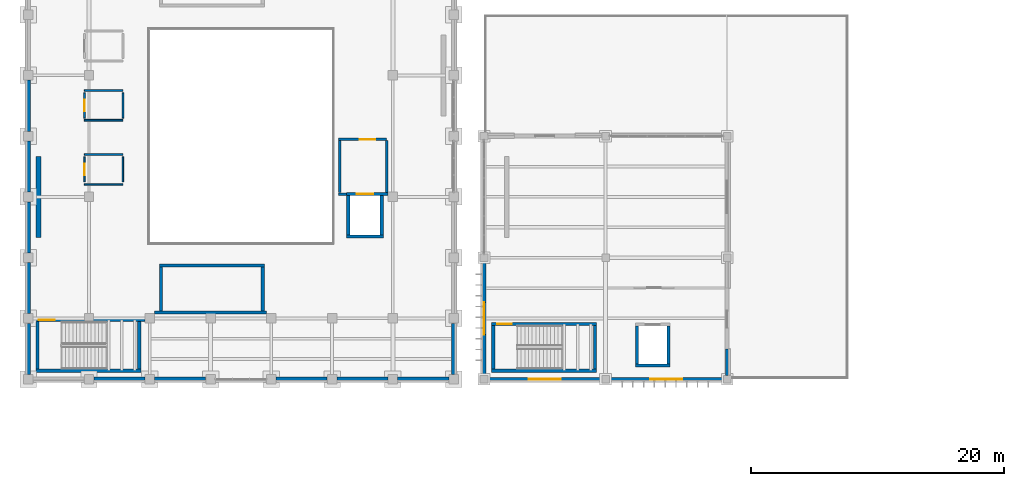
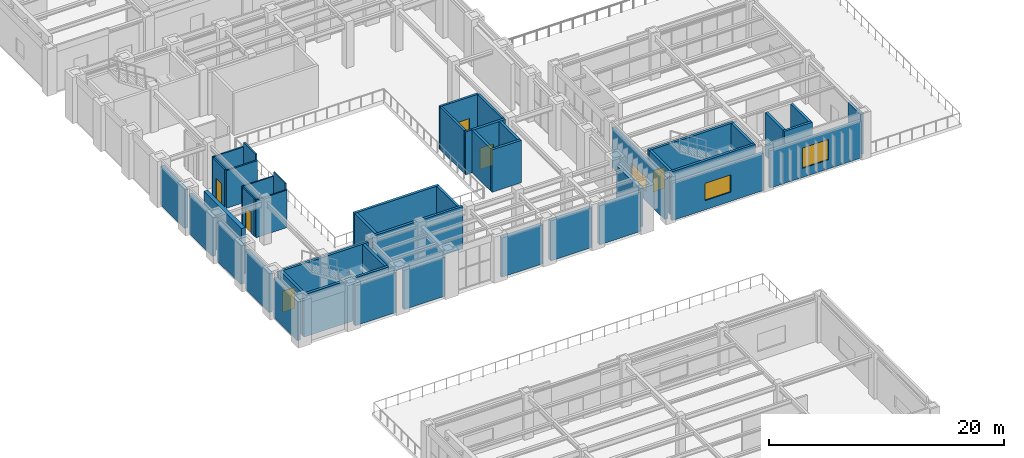
# One storey, part 56 of 83: 47 walls, 6 doors, 3 windows, 9 openings.
"""IFC4 building model written with IfcOpenShell, lengths in metres."""

from ifc_helpers import new_model, si_unit, direction, frame, frame_2d, origin, place, context, subcontext, project, spatial, rectangle, extrude, material, layer, layer_set, type_object, element, fill, save


model = new_model("IFC4")

# Units and contexts
model_context = context("Model", 3, precision=1e-05, world=origin(), true_north=direction((0.0, 1.0)))
body_context = subcontext(model_context, "Body", "Model", "MODEL_VIEW")
ifc_project = project(units=[si_unit("LENGTHUNIT", "METRE"), si_unit("AREAUNIT", "SQUARE_METRE"), si_unit("VOLUMEUNIT", "CUBIC_METRE"), si_unit("PLANEANGLEUNIT", "RADIAN"), si_unit("MASSUNIT", "GRAM", prefix="KILO")], contexts=[model_context])

# Site, building, storey
site_placement = place(None, origin())
site = spatial("IfcSite", under=ifc_project, at=site_placement, CompositionType="ELEMENT")
building_placement = place(site_placement, origin())
building = spatial("IfcBuilding", under=site, at=building_placement, Name="Mavantir Sound Aquarium", CompositionType="ELEMENT")
storey_placement = place(building_placement, frame((0.0, 0.0, 10.5)))
storey = spatial("IfcBuildingStorey", under=building, at=storey_placement, Name="L02", CompositionType="ELEMENT", Elevation=10.5)

# Wall, opening, window
ifc_material_1 = material(Name="Coral-Buff Architectural Precast Concrete C40/50", Category="concrete")
ifc_layer_1 = layer(ifc_material_1, 0.31005859375, Name="Coral-Buff Architectural Precast Concrete C40/50")
ifc_layer_set_1 = layer_set([ifc_layer_1], Name="Coral-Buff Architectural Precast Concrete C40/50")
wall_type_1 = type_object("IfcWallType", Name="EW-CORAL-310", PredefinedType="SOLIDWALL", material=ifc_layer_set_1)
wall_1_placement = place(storey_placement, frame((36.0, 50.092041015625, 0.0), z_axis=(0.0, 0.0, 1.0), x_axis=(0.0, -1.0, 0.0)))
wall_1 = element("IfcWall", 1, at=wall_1_placement, inside=storey, type_object=wall_type_1, Name="L02 exterior facade wall EW-02 236", PredefinedType="SOLIDWALL", context=body_context, shape_type="SweptSolid", body=[
    extrude(rectangle(XDim=8.984130859375, YDim=0.31005859375, at=frame_2d((4.4921875, 0.0))), origin(), (0.0, 0.0, 1.0), 4.133056640625),
])
opening_1_placement = place(wall_1_placement, frame((3.217041015625, 0.0, 0.949951171875)))
opening_1 = element("IfcOpeningElement", 2, at=opening_1_placement, cuts=wall_1, Name="Opening W-34", PredefinedType="OPENING", context=body_context, shape_type="SweptSolid", body=[
    extrude(rectangle(XDim=2.550048828125, YDim=1.5, at=frame_2d((1.27490234375, 0.75))), frame((0.0, 0.1650390625, 0.0), z_axis=(0.0, -1.0, 0.0), x_axis=(1.0, 0.0, 0.0)), (0.0, 0.0, 1.0), 0.330078125),
])
ifc_material_2 = material(Name="Thermally Broken Aluminium and Low-E Glass", Category="aluminium")
window_type_1 = type_object("IfcWindowType", Name="WIN-EXT-34", PartitioningType="TRIPLE_PANEL_VERTICAL", PredefinedType="WINDOW", material=ifc_material_2)
window_1_placement = place(opening_1_placement, origin())
window_1 = element("IfcWindow", 3, at=window_1_placement, inside=storey, type_object=window_type_1, Name="L02 facade window W-34 82", OverallHeight=1.5, OverallWidth=2.550048828125, PartitioningType="SINGLE_PANEL", PredefinedType="WINDOW", context=body_context, shape_type="SweptSolid", body=[
    extrude(rectangle(XDim=2.550048828125, YDim=1.5, at=frame_2d((1.27490234375, 0.75))), frame((0.0, 0.030029296875, 0.0), z_axis=(0.0, -1.0, 0.0), x_axis=(1.0, 0.0, 0.0)), (0.0, 0.0, 1.0), 0.06005859375),
])
fill(opening_1, window_1)

# Walls
ifc_layer_2 = layer(ifc_material_1, 0.340087890625, Name="Coral-Buff Architectural Precast Concrete C40/50")
ifc_layer_set_2 = layer_set([ifc_layer_2], Name="Coral-Buff Architectural Precast Concrete C40/50")
wall_type_2 = type_object("IfcWallType", Name="EW-CORAL-340", PredefinedType="SOLIDWALL", material=ifc_layer_set_2)
wall_2_placement = place(storey_placement, frame((33.60009765625, 41.18310546875, 0.0), z_axis=(0.0, 0.0, 1.0), x_axis=(0.0, 1.0, 0.0)))
element("IfcWall", 4, at=wall_2_placement, inside=storey, type_object=wall_type_2, Name="L02 exterior facade wall EW-01 203", PredefinedType="SOLIDWALL", context=body_context, shape_type="SweptSolid", body=[
    extrude(rectangle(XDim=4.033935546875, YDim=0.340087890625, at=frame_2d((2.01708984375, 0.0))), origin(), (0.0, 0.0, 1.0), 4.012939453125),
])
for number, where, z_axis, x_axis, name in (
    (5, (0.0, 64.4169921875, 0.0), (0.0, 0.0, 1.0), (0.0, -1.0, 0.0), "L02 exterior facade wall EW-01 220"),
    (6, (0.0, 59.616943359375, 0.0), (0.0, 0.0, 1.0), (0.0, -1.0, 0.0), "L02 exterior facade wall EW-01 221"),
    (7, (0.0, 54.81689453125, 0.0), (0.0, 0.0, 1.0), (0.0, -1.0, 0.0), "L02 exterior facade wall EW-01 222"),
):
    element("IfcWall", number, at=place(storey_placement, frame(where, z_axis=z_axis, x_axis=x_axis)), inside=storey, type_object=wall_type_2, Name=name, PredefinedType="SOLIDWALL", context=body_context, shape_type="SweptSolid", body=[
        extrude(rectangle(XDim=4.033935546875, YDim=0.340087890625, at=frame_2d((2.01708984375, 0.0))), origin(), (0.0, 0.0, 1.0), 4.05810546875),
    ])
wall_3_placement = place(storey_placement, frame((0.0, 50.01708984375, 0.0), z_axis=(0.0, 0.0, 1.0), x_axis=(0.0, -1.0, 0.0)))
element("IfcWall", 8, at=wall_3_placement, inside=storey, type_object=wall_type_2, Name="L02 exterior facade wall EW-01 223", PredefinedType="SOLIDWALL", context=body_context, shape_type="SweptSolid", body=[
    extrude(rectangle(XDim=4.0341796875, YDim=0.340087890625, at=frame_2d((2.01708984375, 0.0))), origin(), (0.0, 0.0, 1.0), 4.05810546875),
])
wall_4_placement = place(storey_placement, frame((0.0, 45.217041015625, 0.0), z_axis=(0.0, 0.0, 1.0), x_axis=(0.0, -1.0, 0.0)))
element("IfcWall", 9, at=wall_4_placement, inside=storey, type_object=wall_type_2, Name="L02 exterior facade wall EW-01 224", PredefinedType="SOLIDWALL", context=body_context, shape_type="SweptSolid", body=[
    extrude(rectangle(XDim=4.033935546875, YDim=0.340087890625, at=frame_2d((2.01708984375, 0.0))), origin(), (0.0, 0.0, 1.0), 4.05810546875),
])
wall_5_placement = place(storey_placement, frame((5.18310546875, 40.800048828125, 0.0), z_axis=(0.0, 0.0, 1.0), x_axis=(1.0, 0.0, 0.0)))
element("IfcWall", 10, at=wall_5_placement, inside=storey, type_object=wall_type_2, Name="L02 exterior facade wall EW-01 226", PredefinedType="SOLIDWALL", context=body_context, shape_type="SweptSolid", body=[
    extrude(rectangle(XDim=4.033935546875, YDim=0.340087890625, at=frame_2d((2.01708984375, 0.0))), origin(), (0.0, 0.0, 1.0), 4.1630859375),
])
wall_6_placement = place(storey_placement, frame((9.98291015625, 40.800048828125, 0.0), z_axis=(0.0, 0.0, 1.0), x_axis=(1.0, 0.0, 0.0)))
element("IfcWall", 11, at=wall_6_placement, inside=storey, type_object=wall_type_2, Name="L02 exterior facade wall EW-01 227", PredefinedType="SOLIDWALL", context=body_context, shape_type="SweptSolid", body=[
    extrude(rectangle(XDim=4.0341796875, YDim=0.340087890625, at=frame_2d((2.01708984375, 0.0))), origin(), (0.0, 0.0, 1.0), 4.05810546875),
])
wall_7_placement = place(storey_placement, frame((19.5830078125, 40.800048828125, 0.0), z_axis=(0.0, 0.0, 1.0), x_axis=(1.0, 0.0, 0.0)))
element("IfcWall", 12, at=wall_7_placement, inside=storey, type_object=wall_type_2, Name="L02 exterior facade wall EW-01 228", PredefinedType="SOLIDWALL", context=body_context, shape_type="SweptSolid", body=[
    extrude(rectangle(XDim=4.033935546875, YDim=0.340087890625, at=frame_2d((2.01708984375, 0.0))), origin(), (0.0, 0.0, 1.0), 4.05810546875),
])
wall_8_placement = place(storey_placement, frame((24.383056640625, 40.800048828125, 0.0), z_axis=(0.0, 0.0, 1.0), x_axis=(1.0, 0.0, 0.0)))
element("IfcWall", 13, at=wall_8_placement, inside=storey, type_object=wall_type_2, Name="L02 exterior facade wall EW-01 229", PredefinedType="SOLIDWALL", context=body_context, shape_type="SweptSolid", body=[
    extrude(rectangle(XDim=4.033935546875, YDim=0.340087890625, at=frame_2d((2.01708984375, 0.0))), origin(), (0.0, 0.0, 1.0), 4.1630859375),
])
wall_9_placement = place(storey_placement, frame((29.18310546875, 40.800048828125, 0.0), z_axis=(0.0, 0.0, 1.0), x_axis=(1.0, 0.0, 0.0)))
element("IfcWall", 14, at=wall_9_placement, inside=storey, type_object=wall_type_2, Name="L02 exterior facade wall EW-01 230", PredefinedType="SOLIDWALL", context=body_context, shape_type="SweptSolid", body=[
    extrude(rectangle(XDim=4.033935546875, YDim=0.340087890625, at=frame_2d((2.01708984375, 0.0))), origin(), (0.0, 0.0, 1.0), 4.05810546875),
])

# Wall, opening, window
ifc_material_3 = material(Name="Cerulean Glazed Terracotta Rainscreen on Concrete C40/50", Category="masonry")
ifc_layer_3 = layer(ifc_material_3, 0.27001953125, Name="Cerulean Glazed Terracotta Rainscreen on Concrete C40/50")
ifc_layer_set_3 = layer_set([ifc_layer_3], Name="Cerulean Glazed Terracotta Rainscreen on Concrete C40/50")
wall_type_3 = type_object("IfcWallType", Name="EW-TERRA-270", PredefinedType="SOLIDWALL", material=ifc_layer_set_3)
wall_10_placement = place(storey_placement, frame((45.907958984375, 40.800048828125, 0.0), z_axis=(0.0, 0.0, 1.0), x_axis=(1.0, 0.0, 0.0)))
wall_10 = element("IfcWall", 15, at=wall_10_placement, inside=storey, type_object=wall_type_3, Name="L02 exterior facade wall EW-04 238", PredefinedType="SOLIDWALL", context=body_context, shape_type="SweptSolid", body=[
    extrude(rectangle(XDim=8.984130859375, YDim=0.27001953125, at=frame_2d((4.4921875, 0.0))), origin(), (0.0, 0.0, 1.0), 3.875),
])
opening_2_placement = place(wall_10_placement, frame((3.217041015625, 0.0, 0.949951171875)))
opening_2 = element("IfcOpeningElement", 16, at=opening_2_placement, cuts=wall_10, Name="Opening W-36", PredefinedType="OPENING", context=body_context, shape_type="SweptSolid", body=[
    extrude(rectangle(XDim=2.550048828125, YDim=2.10009765625, at=frame_2d((1.27490234375, 1.050048828125))), frame((0.0, 0.14501953125, 0.0), z_axis=(0.0, -1.0, 0.0), x_axis=(1.0, 0.0, 0.0)), (0.0, 0.0, 1.0), 0.2900390625),
])
window_type_2 = type_object("IfcWindowType", Name="WIN-EXT-36", PartitioningType="TRIPLE_PANEL_VERTICAL", PredefinedType="WINDOW", material=ifc_material_2)
window_2_placement = place(opening_2_placement, origin())
window_2 = element("IfcWindow", 17, at=window_2_placement, inside=storey, type_object=window_type_2, Name="L02 facade window W-36 84", OverallHeight=2.10009765625, OverallWidth=2.550048828125, PartitioningType="SINGLE_PANEL", PredefinedType="WINDOW", context=body_context, shape_type="SweptSolid", body=[
    extrude(rectangle(XDim=2.550048828125, YDim=2.10009765625, at=frame_2d((1.27490234375, 1.050048828125))), frame((0.0, 0.030029296875, 0.0), z_axis=(0.0, -1.0, 0.0), x_axis=(1.0, 0.0, 0.0)), (0.0, 0.0, 1.0), 0.06005859375),
])
fill(opening_2, window_2)

# Wall
ifc_material_4 = material(Name="Turquoise Glazed Terracotta Rainscreen on Concrete C40/50", Category="masonry")
ifc_layer_4 = layer(ifc_material_4, 0.2900390625, Name="Turquoise Glazed Terracotta Rainscreen on Concrete C40/50")
ifc_layer_set_4 = layer_set([ifc_layer_4], Name="Turquoise Glazed Terracotta Rainscreen on Concrete C40/50")
wall_type_4 = type_object("IfcWallType", Name="EW-TERRA-290", PredefinedType="SOLIDWALL", material=ifc_layer_set_4)
wall_11_placement = place(storey_placement, frame((55.199951171875, 41.10791015625, 0.0), z_axis=(0.0, 0.0, 1.0), x_axis=(0.0, 1.0, 0.0)))
element("IfcWall", 18, at=wall_11_placement, inside=storey, type_object=wall_type_4, Name="L02 exterior facade wall EW-03 231", PredefinedType="SOLIDWALL", context=body_context, shape_type="SweptSolid", body=[
    extrude(rectangle(XDim=2.087158203125, YDim=0.2900390625, at=frame_2d((1.04345703125, 0.0))), origin(), (0.0, 0.0, 1.0), 4.177978515625),
])

# Wall, opening, window
wall_12_placement = place(storey_placement, frame((36.30810546875, 40.800048828125, 0.0), z_axis=(0.0, 0.0, 1.0), x_axis=(1.0, 0.0, 0.0)))
wall_12 = element("IfcWall", 19, at=wall_12_placement, inside=storey, type_object=wall_type_4, Name="L02 exterior facade wall EW-03 237", PredefinedType="SOLIDWALL", context=body_context, shape_type="SweptSolid", body=[
    extrude(rectangle(XDim=8.98388671875, YDim=0.2900390625, at=frame_2d((4.491943359375, 0.0))), origin(), (0.0, 0.0, 1.0), 3.875),
])
opening_3_placement = place(wall_12_placement, frame((3.217041015625, 0.0, 0.949951171875)))
opening_3 = element("IfcOpeningElement", 20, at=opening_3_placement, cuts=wall_12, Name="Opening W-35", PredefinedType="OPENING", context=body_context, shape_type="SweptSolid", body=[
    extrude(rectangle(XDim=2.550048828125, YDim=1.800048828125, at=frame_2d((1.27490234375, 0.89990234375))), frame((0.0, 0.155029296875, 0.0), z_axis=(0.0, -1.0, 0.0), x_axis=(1.0, 0.0, 0.0)), (0.0, 0.0, 1.0), 0.31005859375),
])
window_type_3 = type_object("IfcWindowType", Name="WIN-EXT-35", PartitioningType="TRIPLE_PANEL_VERTICAL", PredefinedType="WINDOW", material=ifc_material_2)
window_3_placement = place(opening_3_placement, origin())
window_3 = element("IfcWindow", 21, at=window_3_placement, inside=storey, type_object=window_type_3, Name="L02 facade window W-35 83", OverallHeight=1.800048828125, OverallWidth=2.550048828125, PartitioningType="SINGLE_PANEL", PredefinedType="WINDOW", context=body_context, shape_type="SweptSolid", body=[
    extrude(rectangle(XDim=2.550048828125, YDim=1.800048828125, at=frame_2d((1.27490234375, 0.89990234375))), frame((0.0, 0.030029296875, 0.0), z_axis=(0.0, -1.0, 0.0), x_axis=(1.0, 0.0, 0.0)), (0.0, 0.0, 1.0), 0.06005859375),
])
fill(opening_3, window_3)

# Wall, opening, door
ifc_material_5 = material(Name="Concrete C40/50", Category="concrete")
ifc_layer_5 = layer(ifc_material_5, 0.199951171875, Name="Concrete C40/50")
ifc_layer_set_5 = layer_set([ifc_layer_5], Name="Concrete C40/50")
wall_type_5 = type_object("IfcWallType", Name="IW-FFL-200", PredefinedType="PARTITIONING", material=ifc_layer_set_5)
wall_13_placement = place(storey_placement, frame((24.5, 59.75, 0.0), z_axis=(0.0, 0.0, 1.0), x_axis=(1.0, 0.0, 0.0)))
wall_13 = element("IfcWall", 22, at=wall_13_placement, inside=storey, type_object=wall_type_5, Name="L02 firefighting lift lobby LC1 wall N", PredefinedType="PARTITIONING", context=body_context, shape_type="SweptSolid", body=[
    extrude(rectangle(XDim=3.800048828125, YDim=0.199951171875, at=frame_2d((1.89990234375, 0.0))), origin(), (0.0, 0.0, 1.0), 4.43994140625),
])
opening_4_placement = place(wall_13_placement, frame((1.699951171875, 0.0, 0.0)))
opening_4 = element("IfcOpeningElement", 23, at=opening_4_placement, cuts=wall_13, Name="Opening FD-01", PredefinedType="OPENING", context=body_context, shape_type="SweptSolid", body=[
    extrude(rectangle(XDim=1.199951171875, YDim=2.199951171875, at=frame_2d((0.60009765625, 1.10009765625))), frame((0.0, 0.10986328125, 0.0), z_axis=(0.0, -1.0, 0.0), x_axis=(1.0, 0.0, 0.0)), (0.0, 0.0, 1.0), 0.219970703125),
])
ifc_material_6 = material(Name="Fire-Rated Steel Lobby Door Leaf", Category="steel")
door_type_1 = type_object("IfcDoorType", Name="DR-FFL-120", OperationType="NOTDEFINED", PredefinedType="DOOR", material=ifc_material_6)
door_1_placement = place(opening_4_placement, origin())
door_1 = element("IfcDoor", 24, at=door_1_placement, inside=storey, type_object=door_type_1, Name="L02 firefighting lobby LC1 accommodation door", OperationType="SINGLE_SWING_LEFT", OverallHeight=2.199951171875, OverallWidth=1.199951171875, PredefinedType="DOOR", context=body_context, shape_type="SweptSolid", body=[
    extrude(rectangle(XDim=1.199951171875, YDim=2.199951171875, at=frame_2d((0.60009765625, 1.10009765625))), frame((0.0, 0.02490234375, 0.0), z_axis=(0.0, -1.0, 0.0), x_axis=(1.0, 0.0, 0.0)), (0.0, 0.0, 1.0), 0.050048828125),
])
fill(opening_4, door_1)

# Walls
for number, where, z_axis, x_axis, name in (
    (25, (24.60009765625, 55.550048828125, 0.0), (0.0, 0.0, 1.0), (0.0, 1.0, 0.0), "L02 firefighting lift lobby LC1 wall W"),
    (26, (28.300048828125, 55.550048828125, 0.0), (0.0, 0.0, 1.0), (0.0, 1.0, 0.0), "L02 firefighting lift lobby LC1 wall E"),
):
    element("IfcWall", number, at=place(storey_placement, frame(where, z_axis=z_axis, x_axis=x_axis)), inside=storey, type_object=wall_type_5, Name=name, PredefinedType="PARTITIONING", context=body_context, shape_type="SweptSolid", body=[
        extrude(rectangle(XDim=4.099853515625, YDim=0.199951171875, at=frame_2d((2.0498046875, 0.0))), origin(), (0.0, 0.0, 1.0), 4.43994140625),
    ])
wall_14_placement = place(storey_placement, frame((24.5, 55.425048828125, 0.0), z_axis=(0.0, 0.0, 1.0), x_axis=(1.0, 0.0, 0.0)))
element("IfcWall", 27, at=wall_14_placement, inside=storey, type_object=wall_type_5, Name="L02 firefighting lift lobby LC1 return SW", PredefinedType="PARTITIONING", context=body_context, shape_type="SweptSolid", body=[
    extrude(rectangle(XDim=0.64990234375, YDim=0.199951171875, at=frame_2d((0.324951171875, 0.0))), origin(), (0.0, 0.0, 1.0), 4.43994140625),
])
ifc_material_7 = material(Name="Lightweight Partition Framing", Category="gypsum")
ifc_layer_6 = layer(ifc_material_7, 0.1201171875, Name="Lightweight Partition Framing")
ifc_layer_set_6 = layer_set([ifc_layer_6], Name="Lightweight Partition Framing")
wall_type_6 = type_object("IfcWallType", Name="IW-PART-120", PredefinedType="PARTITIONING", material=ifc_layer_set_6)
for number, where, z_axis, x_axis, name in (
    (28, (4.43994140625, 58.550048828125, 0.0), (0.0, 0.0, 1.0), (1.0, 0.0, 0.0), "L02 L02 Mens WC partition N"),
    (29, (4.43994140625, 56.199951171875, 0.0), (0.0, 0.0, 1.0), (1.0, 0.0, 0.0), "L02 L02 Mens WC partition S"),
):
    element("IfcWall", number, at=place(storey_placement, frame(where, z_axis=z_axis, x_axis=x_axis)), inside=storey, type_object=wall_type_6, Name=name, PredefinedType="PARTITIONING", context=body_context, shape_type="SweptSolid", body=[
        extrude(rectangle(XDim=3.0400390625, YDim=0.1201171875, at=frame_2d((1.52001953125, 0.0))), origin(), (0.0, 0.0, 1.0), 3.89697265625),
    ])

# Wall, opening, door
wall_15_placement = place(storey_placement, frame((4.43994140625, 56.3798828125, 0.0), z_axis=(0.0, 0.0, 1.0), x_axis=(0.0, 1.0, 0.0)))
wall_15 = element("IfcWall", 30, at=wall_15_placement, inside=storey, type_object=wall_type_6, Name="L02 L02 Mens WC partition W", PredefinedType="PARTITIONING", context=body_context, shape_type="SweptSolid", body=[
    extrude(rectangle(XDim=1.990234375, YDim=0.1201171875, at=frame_2d((0.9951171875, 0.0))), origin(), (0.0, 0.0, 1.0), 3.89697265625),
])
opening_5_placement = place(wall_15_placement, frame((0.534912109375, 0.0, 0.0)))
opening_5 = element("IfcOpeningElement", 31, at=opening_5_placement, cuts=wall_15, Name="Opening ID-01", PredefinedType="OPENING", context=body_context, shape_type="SweptSolid", body=[
    extrude(rectangle(XDim=0.919921875, YDim=2.1201171875, at=frame_2d((0.4599609375, 1.06005859375))), frame((0.0, 0.070068359375, 0.0), z_axis=(0.0, -1.0, 0.0), x_axis=(1.0, 0.0, 0.0)), (0.0, 0.0, 1.0), 0.14013671875),
])
ifc_material_8 = material(Name="Solid-Core Marine Hardwood and Vision-Panel Door", Category="wood")
door_type_2 = type_object("IfcDoorType", Name="DR-INT-01", OperationType="NOTDEFINED", PredefinedType="DOOR", material=ifc_material_8)
door_2_placement = place(opening_5_placement, origin())
door_2 = element("IfcDoor", 32, at=door_2_placement, inside=storey, type_object=door_type_2, Name="L02 Mens WC entrance door", OperationType="SINGLE_SWING_LEFT", OverallHeight=2.1201171875, OverallWidth=0.919921875, PredefinedType="DOOR", context=body_context, shape_type="SweptSolid", body=[
    extrude(rectangle(XDim=0.919921875, YDim=2.1201171875, at=frame_2d((0.4599609375, 1.06005859375))), frame((0.0, 0.02490234375, 0.0), z_axis=(0.0, -1.0, 0.0), x_axis=(1.0, 0.0, 0.0)), (0.0, 0.0, 1.0), 0.050048828125),
])
fill(opening_5, door_2)

# Walls
wall_16_placement = place(storey_placement, frame((7.47998046875, 56.3798828125, 0.0), z_axis=(0.0, 0.0, 1.0), x_axis=(0.0, 1.0, 0.0)))
element("IfcWall", 33, at=wall_16_placement, inside=storey, type_object=wall_type_6, Name="L02 L02 Mens WC partition E", PredefinedType="PARTITIONING", context=body_context, shape_type="SweptSolid", body=[
    extrude(rectangle(XDim=1.990234375, YDim=0.1201171875, at=frame_2d((0.9951171875, 0.0))), origin(), (0.0, 0.0, 1.0), 4.43994140625),
])
ifc_material_9 = material(Name="Moisture-Resistant Marine Gypsum Partition", Category="gypsum")
ifc_layer_7 = layer(ifc_material_9, 0.139892578125, Name="Moisture-Resistant Marine Gypsum Partition")
ifc_layer_set_7 = layer_set([ifc_layer_7], Name="Moisture-Resistant Marine Gypsum Partition")
wall_type_7 = type_object("IfcWallType", Name="IW-PART-140", PredefinedType="PARTITIONING", material=ifc_layer_set_7)
for number, where, z_axis, x_axis, name in (
    (34, (4.43994140625, 63.60009765625, 0.0), (0.0, 0.0, 1.0), (1.0, 0.0, 0.0), "L02 L02 Womens WC partition N"),
    (35, (4.43994140625, 61.25, 0.0), (0.0, 0.0, 1.0), (1.0, 0.0, 0.0), "L02 L02 Womens WC partition S"),
):
    element("IfcWall", number, at=place(storey_placement, frame(where, z_axis=z_axis, x_axis=x_axis)), inside=storey, type_object=wall_type_7, Name=name, PredefinedType="PARTITIONING", context=body_context, shape_type="SweptSolid", body=[
        extrude(rectangle(XDim=3.0400390625, YDim=0.139892578125, at=frame_2d((1.52001953125, 0.0))), origin(), (0.0, 0.0, 1.0), 3.89697265625),
    ])

# Wall, opening, door
wall_17_placement = place(storey_placement, frame((4.43994140625, 61.429931640625, 0.0), z_axis=(0.0, 0.0, 1.0), x_axis=(0.0, 1.0, 0.0)))
wall_17 = element("IfcWall", 36, at=wall_17_placement, inside=storey, type_object=wall_type_7, Name="L02 L02 Womens WC partition W", PredefinedType="PARTITIONING", context=body_context, shape_type="SweptSolid", body=[
    extrude(rectangle(XDim=1.989990234375, YDim=0.139892578125, at=frame_2d((0.9951171875, 0.0))), origin(), (0.0, 0.0, 1.0), 3.89697265625),
])
opening_6_placement = place(wall_17_placement, frame((0.534912109375, 0.0, 0.0)))
opening_6 = element("IfcOpeningElement", 37, at=opening_6_placement, cuts=wall_17, Name="Opening ID-01", PredefinedType="OPENING", context=body_context, shape_type="SweptSolid", body=[
    extrude(rectangle(XDim=0.919921875, YDim=2.1201171875, at=frame_2d((0.4599609375, 1.06005859375))), frame((0.0, 0.080078125, 0.0), z_axis=(0.0, -1.0, 0.0), x_axis=(1.0, 0.0, 0.0)), (0.0, 0.0, 1.0), 0.159912109375),
])
door_3_placement = place(opening_6_placement, origin())
door_3 = element("IfcDoor", 38, at=door_3_placement, inside=storey, type_object=door_type_2, Name="L02 Womens WC entrance door", OperationType="SINGLE_SWING_RIGHT", OverallHeight=2.1201171875, OverallWidth=0.919921875, PredefinedType="DOOR", context=body_context, shape_type="SweptSolid", body=[
    extrude(rectangle(XDim=0.919921875, YDim=2.1201171875, at=frame_2d((0.4599609375, 1.06005859375))), frame((0.0, 0.02490234375, 0.0), z_axis=(0.0, -1.0, 0.0), x_axis=(1.0, 0.0, 0.0)), (0.0, 0.0, 1.0), 0.050048828125),
])
fill(opening_6, door_3)

# Walls
wall_18_placement = place(storey_placement, frame((7.47998046875, 61.429931640625, 0.0), z_axis=(0.0, 0.0, 1.0), x_axis=(0.0, 1.0, 0.0)))
element("IfcWall", 39, at=wall_18_placement, inside=storey, type_object=wall_type_7, Name="L02 L02 Womens WC partition E", PredefinedType="PARTITIONING", context=body_context, shape_type="SweptSolid", body=[
    extrude(rectangle(XDim=1.989990234375, YDim=0.139892578125, at=frame_2d((0.9951171875, 0.0))), origin(), (0.0, 0.0, 1.0), 4.43994140625),
])
ifc_layer_8 = layer(ifc_material_5, 0.25, Name="Concrete C40/50")
ifc_layer_set_8 = layer_set([ifc_layer_8], Name="Concrete C40/50")
wall_type_8 = type_object("IfcWallType", Name="IW-SHAFT-250", PredefinedType="SHEAR", material=ifc_layer_set_8)
wall_19_placement = place(storey_placement, frame((0.60009765625, 41.47509765625, 0.0), z_axis=(0.0, 0.0, 1.0), x_axis=(1.0, 0.0, 0.0)))
element("IfcWall", 40, at=wall_19_placement, inside=storey, type_object=wall_type_8, Name="L02 stair ST1 shaft wall S", PredefinedType="SHEAR", context=body_context, shape_type="SweptSolid", body=[
    extrude(rectangle(XDim=8.2998046875, YDim=0.25, at=frame_2d((4.14990234375, 0.0))), origin(), (0.0, 0.0, 1.0), 4.39990234375),
])

# Wall, opening, door
wall_20_placement = place(storey_placement, frame((9.22509765625, 45.47509765625, 0.0), z_axis=(0.0, 0.0, 1.0), x_axis=(-1.0, 0.0, 0.0)))
wall_20 = element("IfcWall", 41, at=wall_20_placement, inside=storey, type_object=wall_type_8, Name="L02 stair ST1 shaft wall N", PredefinedType="SHEAR", context=body_context, shape_type="SweptSolid", body=[
    extrude(rectangle(XDim=8.85009765625, YDim=0.25, at=frame_2d((4.425048828125, 0.0))), origin(), (0.0, 0.0, 1.0), 4.39990234375),
])
opening_7_placement = place(wall_20_placement, frame((8.39990234375, 0.0, 0.0), z_axis=(0.0, 0.0, 1.0), x_axis=(-1.0, 0.0, 0.0)))
opening_7 = element("IfcOpeningElement", 42, at=opening_7_placement, cuts=wall_20, Name="Opening SD-01", PredefinedType="OPENING", context=body_context, shape_type="SweptSolid", body=[
    extrude(rectangle(XDim=1.25, YDim=2.199951171875, at=frame_2d((0.625, 1.10009765625))), frame((0.0, 0.135009765625, 0.0), z_axis=(0.0, -1.0, 0.0), x_axis=(1.0, 0.0, 0.0)), (0.0, 0.0, 1.0), 0.27001953125),
])
ifc_material_10 = material(Name="Fire-Rated Steel Acoustic Door Leaf", Category="steel")
door_type_3 = type_object("IfcDoorType", Name="DR-ST-125", OperationType="NOTDEFINED", PredefinedType="DOOR", material=ifc_material_10)
door_4_placement = place(opening_7_placement, origin())
door_4 = element("IfcDoor", 43, at=door_4_placement, inside=storey, type_object=door_type_3, Name="L02 protected exit stair ST1 door", OperationType="SINGLE_SWING_LEFT", OverallHeight=2.199951171875, OverallWidth=1.25, PredefinedType="DOOR", context=body_context, shape_type="SweptSolid", body=[
    extrude(rectangle(XDim=1.25, YDim=2.199951171875, at=frame_2d((0.625, 1.10009765625))), frame((0.0, 0.02490234375, 0.0), z_axis=(0.0, -1.0, 0.0), x_axis=(1.0, 0.0, 0.0)), (0.0, 0.0, 1.0), 0.050048828125),
])
fill(opening_7, door_4)

# Walls
for number, where, z_axis, x_axis, name in (
    (44, (0.72509765625, 45.35009765625, 0.0), (0.0, 0.0, 1.0), (0.0, -1.0, 0.0), "L02 stair ST1 shaft wall W"),
    (45, (8.77490234375, 41.60009765625, 0.0), (0.0, 0.0, 1.0), (0.0, 1.0, 0.0), "L02 stair ST1 shaft wall E"),
):
    element("IfcWall", number, at=place(storey_placement, frame(where, z_axis=z_axis, x_axis=x_axis)), inside=storey, type_object=wall_type_8, Name=name, PredefinedType="SHEAR", context=body_context, shape_type="SweptSolid", body=[
        extrude(rectangle(XDim=3.75, YDim=0.25, at=frame_2d((1.875, 0.0))), origin(), (0.0, 0.0, 1.0), 4.39990234375),
    ])
wall_21_placement = place(storey_placement, frame((9.97509765625, 46.074951171875, 0.0), z_axis=(0.0, 0.0, 1.0), x_axis=(1.0, 0.0, 0.0)))
element("IfcWall", 46, at=wall_21_placement, inside=storey, type_object=wall_type_8, Name="L02 stair ST9 shaft wall S", PredefinedType="SHEAR", context=body_context, shape_type="SweptSolid", body=[
    extrude(rectangle(XDim=8.849853515625, YDim=0.25, at=frame_2d((4.4248046875, 0.0))), origin(), (0.0, 0.0, 1.0), 4.39990234375),
])
wall_22_placement = place(storey_placement, frame((18.64990234375, 49.77490234375, 0.0), z_axis=(0.0, 0.0, 1.0), x_axis=(-1.0, 0.0, 0.0)))
element("IfcWall", 47, at=wall_22_placement, inside=storey, type_object=wall_type_8, Name="L02 stair ST9 shaft wall N", PredefinedType="SHEAR", context=body_context, shape_type="SweptSolid", body=[
    extrude(rectangle(XDim=8.2998046875, YDim=0.25, at=frame_2d((4.14990234375, 0.0))), origin(), (0.0, 0.0, 1.0), 4.39990234375),
])
for number, where, z_axis, x_axis, name in (
    (48, (10.47509765625, 49.64990234375, 0.0), (0.0, 0.0, 1.0), (0.0, -1.0, 0.0), "L02 stair ST9 shaft wall W"),
    (49, (18.52490234375, 46.199951171875, 0.0), (0.0, 0.0, 1.0), (0.0, 1.0, 0.0), "L02 stair ST9 shaft wall E"),
):
    element("IfcWall", number, at=place(storey_placement, frame(where, z_axis=z_axis, x_axis=x_axis)), inside=storey, type_object=wall_type_8, Name=name, PredefinedType="SHEAR", context=body_context, shape_type="SweptSolid", body=[
        extrude(rectangle(XDim=3.449951171875, YDim=0.25, at=frame_2d((1.72509765625, 0.0))), origin(), (0.0, 0.0, 1.0), 4.39990234375),
    ])
wall_23_placement = place(storey_placement, frame((36.60009765625, 41.47509765625, 0.0), z_axis=(0.0, 0.0, 1.0), x_axis=(1.0, 0.0, 0.0)))
element("IfcWall", 50, at=wall_23_placement, inside=storey, type_object=wall_type_8, Name="L02 stair ST8 shaft wall S", PredefinedType="SHEAR", context=body_context, shape_type="SweptSolid", body=[
    extrude(rectangle(XDim=8.2998046875, YDim=0.25, at=frame_2d((4.14990234375, 0.0))), origin(), (0.0, 0.0, 1.0), 4.52001953125),
])

# Wall, opening, door
wall_24_placement = place(storey_placement, frame((44.89990234375, 45.175048828125, 0.0), z_axis=(0.0, 0.0, 1.0), x_axis=(-1.0, 0.0, 0.0)))
wall_24 = element("IfcWall", 51, at=wall_24_placement, inside=storey, type_object=wall_type_8, Name="L02 stair ST8 shaft wall N", PredefinedType="SHEAR", context=body_context, shape_type="SweptSolid", body=[
    extrude(rectangle(XDim=8.2998046875, YDim=0.25, at=frame_2d((4.14990234375, 0.0))), origin(), (0.0, 0.0, 1.0), 4.52001953125),
])
opening_8_placement = place(wall_24_placement, frame((7.849853515625, 0.0, 0.0), z_axis=(0.0, 0.0, 1.0), x_axis=(-1.0, 0.0, 0.0)))
opening_8 = element("IfcOpeningElement", 52, at=opening_8_placement, cuts=wall_24, Name="Opening SD-02", PredefinedType="OPENING", context=body_context, shape_type="SweptSolid", body=[
    extrude(rectangle(XDim=1.14990234375, YDim=2.199951171875, at=frame_2d((0.574951171875, 1.10009765625))), frame((0.0, 0.135009765625, 0.0), z_axis=(0.0, -1.0, 0.0), x_axis=(1.0, 0.0, 0.0)), (0.0, 0.0, 1.0), 0.27001953125),
])
door_type_4 = type_object("IfcDoorType", Name="DR-ST-115", OperationType="NOTDEFINED", PredefinedType="DOOR", material=ifc_material_10)
door_5_placement = place(opening_8_placement, origin())
door_5 = element("IfcDoor", 53, at=door_5_placement, inside=storey, type_object=door_type_4, Name="L02 protected exit stair ST8 door", OperationType="SINGLE_SWING_LEFT", OverallHeight=2.199951171875, OverallWidth=1.14990234375, PredefinedType="DOOR", context=body_context, shape_type="SweptSolid", body=[
    extrude(rectangle(XDim=1.14990234375, YDim=2.199951171875, at=frame_2d((0.574951171875, 1.10009765625))), frame((0.0, 0.02490234375, 0.0), z_axis=(0.0, -1.0, 0.0), x_axis=(1.0, 0.0, 0.0)), (0.0, 0.0, 1.0), 0.050048828125),
])
fill(opening_8, door_5)

# Walls
for number, where, z_axis, x_axis, name in (
    (54, (36.72509765625, 45.050048828125, 0.0), (0.0, 0.0, 1.0), (0.0, -1.0, 0.0), "L02 stair ST8 shaft wall W"),
    (55, (44.77490234375, 41.60009765625, 0.0), (0.0, 0.0, 1.0), (0.0, 1.0, 0.0), "L02 stair ST8 shaft wall E"),
):
    element("IfcWall", number, at=place(storey_placement, frame(where, z_axis=z_axis, x_axis=x_axis)), inside=storey, type_object=wall_type_8, Name=name, PredefinedType="SHEAR", context=body_context, shape_type="SweptSolid", body=[
        extrude(rectangle(XDim=3.449951171875, YDim=0.25, at=frame_2d((1.72509765625, 0.0))), origin(), (0.0, 0.0, 1.0), 4.52001953125),
    ])
wall_25_placement = place(storey_placement, frame((25.14990234375, 52.074951171875, 0.0), z_axis=(0.0, 0.0, 1.0), x_axis=(1.0, 0.0, 0.0)))
element("IfcWall", 56, at=wall_25_placement, inside=storey, type_object=wall_type_8, Name="L02 lift LC1 shaft wall S", PredefinedType="SHEAR", context=body_context, shape_type="SweptSolid", body=[
    extrude(rectangle(XDim=2.900146484375, YDim=0.25, at=frame_2d((1.4501953125, 0.0))), origin(), (0.0, 0.0, 1.0), 4.39990234375),
])

# Wall, opening, door
wall_26_placement = place(storey_placement, frame((25.14990234375, 55.425048828125, 0.0), z_axis=(0.0, 0.0, 1.0), x_axis=(1.0, 0.0, 0.0)))
wall_26 = element("IfcWall", 57, at=wall_26_placement, inside=storey, type_object=wall_type_8, Name="L02 lift LC1 shaft wall N", PredefinedType="SHEAR", context=body_context, shape_type="SweptSolid", body=[
    extrude(rectangle(XDim=3.275146484375, YDim=0.25, at=frame_2d((1.6376953125, 0.0))), origin(), (0.0, 0.0, 1.0), 4.39990234375),
])
opening_9_placement = place(wall_26_placement, frame((0.800048828125, 0.0, 0.0)))
opening_9 = element("IfcOpeningElement", 58, at=opening_9_placement, cuts=wall_26, Name="Opening LD-01", PredefinedType="OPENING", context=body_context, shape_type="SweptSolid", body=[
    extrude(rectangle(XDim=1.300048828125, YDim=2.199951171875, at=frame_2d((0.64990234375, 1.10009765625))), frame((0.0, 0.135009765625, 0.0), z_axis=(0.0, -1.0, 0.0), x_axis=(1.0, 0.0, 0.0)), (0.0, 0.0, 1.0), 0.27001953125),
])
ifc_material_11 = material(Name="Stainless Steel 316 Sliding Lift Landing Door", Category="steel")
door_type_5 = type_object("IfcDoorType", Name="DR-LD-130", OperationType="NOTDEFINED", PredefinedType="DOOR", material=ifc_material_11)
door_6_placement = place(opening_9_placement, origin())
door_6 = element("IfcDoor", 59, at=door_6_placement, inside=storey, type_object=door_type_5, Name="Lift LC1 sliding landing door (L02)", OperationType="DOUBLE_DOOR_SLIDING", OverallHeight=2.199951171875, OverallWidth=1.300048828125, PredefinedType="DOOR", context=body_context, shape_type="SweptSolid", body=[
    extrude(rectangle(XDim=1.300048828125, YDim=2.199951171875, at=frame_2d((0.64990234375, 1.10009765625))), frame((0.0, 0.02490234375, 0.0), z_axis=(0.0, -1.0, 0.0), x_axis=(1.0, 0.0, 0.0)), (0.0, 0.0, 1.0), 0.050048828125),
])
fill(opening_9, door_6)

# Walls
for number, where, z_axis, x_axis, name in (
    (60, (25.27490234375, 52.199951171875, 0.0), (0.0, 0.0, 1.0), (0.0, 1.0, 0.0), "L02 lift LC1 shaft wall W"),
    (61, (27.925048828125, 52.199951171875, 0.0), (0.0, 0.0, 1.0), (0.0, 1.0, 0.0), "L02 lift LC1 shaft wall E"),
):
    element("IfcWall", number, at=place(storey_placement, frame(where, z_axis=z_axis, x_axis=x_axis)), inside=storey, type_object=wall_type_8, Name=name, PredefinedType="SHEAR", context=body_context, shape_type="SweptSolid", body=[
        extrude(rectangle(XDim=3.10009765625, YDim=0.25, at=frame_2d((1.550048828125, 0.0))), origin(), (0.0, 0.0, 1.0), 4.39990234375),
    ])
wall_27_placement = place(storey_placement, frame((47.949951171875, 41.875, 0.0), z_axis=(0.0, 0.0, 1.0), x_axis=(1.0, 0.0, 0.0)))
element("IfcWall", 62, at=wall_27_placement, inside=storey, type_object=wall_type_8, Name="L02 lift LC5 shaft wall S", PredefinedType="SHEAR", context=body_context, shape_type="SweptSolid", body=[
    extrude(rectangle(XDim=2.75, YDim=0.25, at=frame_2d((1.375, 0.0))), origin(), (0.0, 0.0, 1.0), 4.52001953125),
])
for number, where, z_axis, x_axis, name in (
    (63, (48.074951171875, 42.0, 0.0), (0.0, 0.0, 1.0), (0.0, 1.0, 0.0), "L02 lift LC5 shaft wall W"),
    (64, (50.574951171875, 42.0, 0.0), (0.0, 0.0, 1.0), (0.0, 1.0, 0.0), "L02 lift LC5 shaft wall E"),
):
    element("IfcWall", number, at=place(storey_placement, frame(where, z_axis=z_axis, x_axis=x_axis)), inside=storey, type_object=wall_type_8, Name=name, PredefinedType="SHEAR", context=body_context, shape_type="SweptSolid", body=[
        extrude(rectangle(XDim=3.0, YDim=0.25, at=frame_2d((1.5, 0.0))), origin(), (0.0, 0.0, 1.0), 4.52001953125),
    ])
ifc_layer_9 = layer(ifc_material_5, 0.3798828125, Name="Concrete C40/50")
ifc_layer_set_9 = layer_set([ifc_layer_9], Name="Concrete C40/50")
wall_type_9 = type_object("IfcWallType", Name="SW-SHR-380", PredefinedType="SHEAR", material=ifc_layer_set_9)
wall_28_placement = place(storey_placement, frame((0.800048828125, 52.0, 0.0), z_axis=(0.0, 0.0, 1.0), x_axis=(0.0, 1.0, 0.0)))
element("IfcWall", 65, at=wall_28_placement, inside=storey, type_object=wall_type_9, Name="L02 special RC shear wall 5 (V1)", PredefinedType="SHEAR", context=body_context, shape_type="SweptSolid", body=[
    extrude(rectangle(XDim=6.39990234375, YDim=0.3798828125, at=frame_2d((3.199951171875, 0.0))), origin(), (0.0, 0.0, 1.0), 4.800048828125),
])

save(model, "model.ifc")
